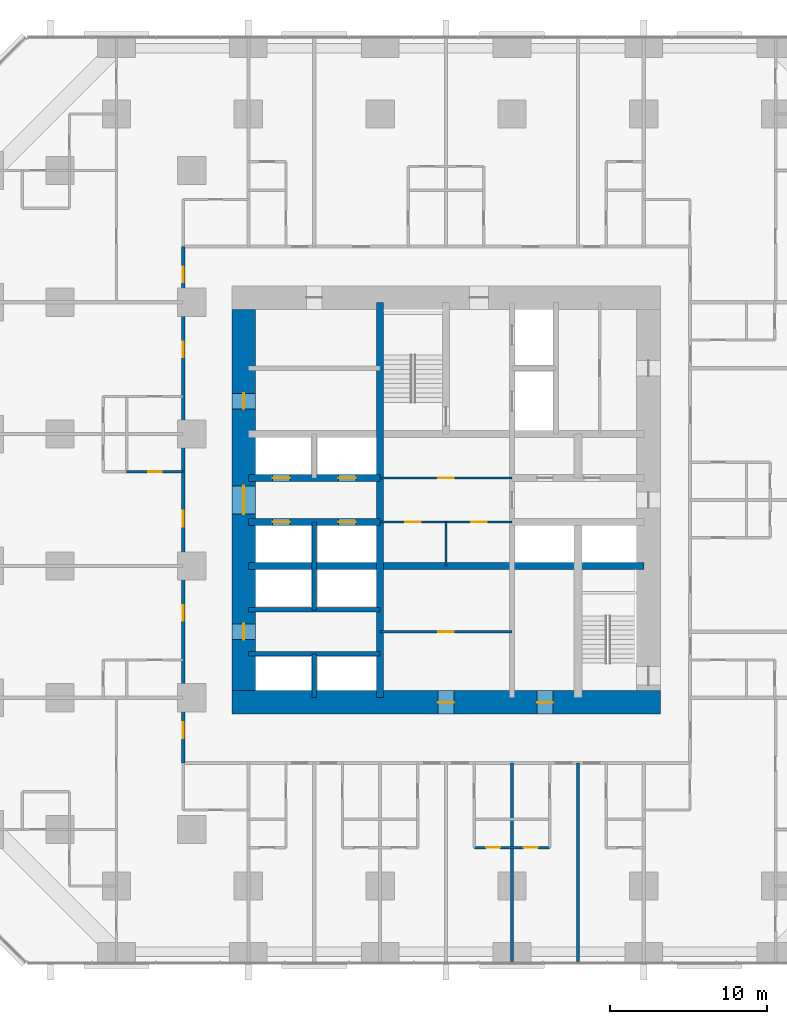
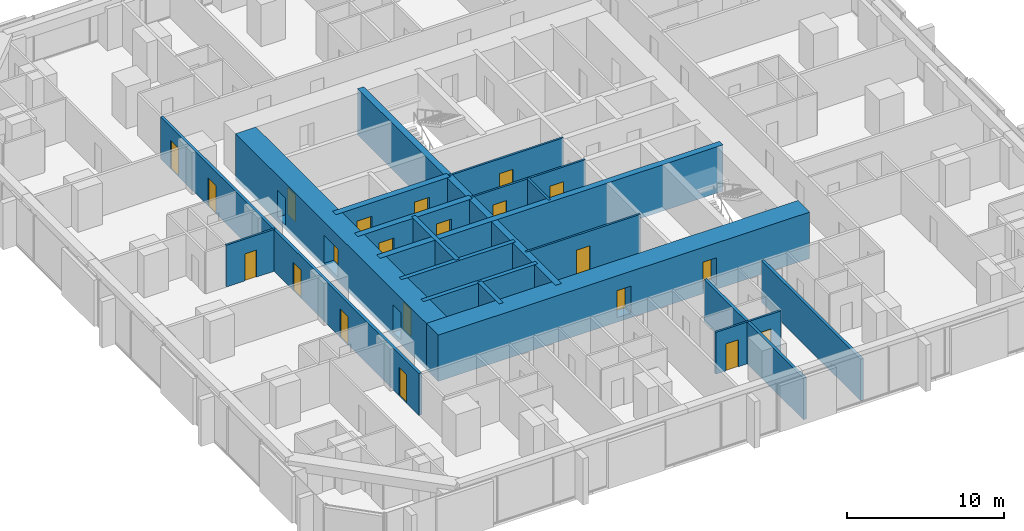
# One storey, part 12 of 17: 21 doors, 19 walls, 21 openings.
"""IFC4 building model written with IfcOpenShell, lengths in metres."""

from ifc_helpers import new_model, si_unit, direction, frame, frame_2d, origin, place, context, subcontext, project, spatial, rectangle, extrude, material, layer, layer_set, type_object, element, fill, save


model = new_model("IFC4")

# Units and contexts
model_context = context("Model", 3, precision=1e-05, world=origin(), true_north=direction((0.0, 1.0)))
body_context = subcontext(model_context, "Body", "Model", "MODEL_VIEW")
ifc_project = project(units=[si_unit("LENGTHUNIT", "METRE"), si_unit("AREAUNIT", "SQUARE_METRE"), si_unit("VOLUMEUNIT", "CUBIC_METRE"), si_unit("PLANEANGLEUNIT", "RADIAN"), si_unit("MASSUNIT", "GRAM", prefix="KILO")], contexts=[model_context])

# Site, building, storey
site_placement = place(None, origin())
site = spatial("IfcSite", under=ifc_project, at=site_placement, CompositionType="ELEMENT")
building_placement = place(site_placement, origin())
building = spatial("IfcBuilding", under=site, at=building_placement, Name="Dunama Terrace Hotel", CompositionType="ELEMENT")
storey_placement = place(building_placement, frame((0.0, 0.0, 73.800048828125)))
storey = spatial("IfcBuildingStorey", under=building, at=storey_placement, Name="L18", CompositionType="ELEMENT", Elevation=73.800048828125)

# Wall, opening, door
ifc_material_1 = material(Name="Gypsum board partition", Category="masonry")
ifc_layer_1 = layer(ifc_material_1, 0.14990234375)
ifc_layer_set_1 = layer_set([ifc_layer_1], Name="Bathroom partition 150")
wall_type_1 = type_object("IfcWallType", Name="Bathroom partition 150", PredefinedType="PARTITIONING", material=ifc_layer_set_1)
wall_1_placement = place(storey_placement, frame((9.050048828125, 31.199951171875, 0.0), z_axis=(0.0, 0.0, 1.0), x_axis=(1.0, 0.0, 0.0)))
wall_1 = element("IfcWall", 1, at=wall_1_placement, inside=storey, type_object=wall_type_1, Name="Bathroom partition 150 L18", PredefinedType="PARTITIONING", context=body_context, shape_type="SweptSolid", body=[
    extrude(rectangle(XDim=3.599853515625, YDim=0.14990234375, at=frame_2d((1.7998046875, 0.0))), origin(), (0.0, 0.0, 1.0), 3.25),
])
opening_1_placement = place(wall_1_placement, frame((1.375, 0.0, 0.0)))
opening_1 = element("IfcOpeningElement", 2, at=opening_1_placement, cuts=wall_1, Name="Opening L17-19-055", PredefinedType="OPENING", context=body_context, shape_type="SweptSolid", body=[
    extrude(rectangle(XDim=0.85009765625, YDim=2.10009765625, at=frame_2d((0.425048828125, 1.050048828125))), frame((0.0, 0.0849609375, 0.0), z_axis=(0.0, -1.0, 0.0), x_axis=(1.0, 0.0, 0.0)), (0.0, 0.0, 1.0), 0.169921875),
])
ifc_material_2 = material(Name="Timber door with steel frame", Category="steel")
door_type_1 = type_object("IfcDoorType", Name="Bathroom door 850", OperationType="SINGLE_SWING_LEFT", PredefinedType="DOOR", material=ifc_material_2)
door_1_placement = place(opening_1_placement, origin())
door_1 = element("IfcDoor", 3, at=door_1_placement, inside=storey, type_object=door_type_1, Name="Door to en-suite bathroom L17-19-055, type D2", OperationType="SINGLE_SWING_RIGHT", OverallHeight=2.10009765625, OverallWidth=0.85009765625, PredefinedType="DOOR", context=body_context, shape_type="SweptSolid", body=[
    extrude(rectangle(XDim=0.85009765625, YDim=2.10009765625, at=frame_2d((0.425048828125, 1.050048828125))), frame((0.0, 0.02490234375, 0.0), z_axis=(0.0, -1.0, 0.0), x_axis=(1.0, 0.0, 0.0)), (0.0, 0.0, 1.0), 0.050048828125),
])
fill(opening_1, door_1)

# Walls
ifc_material_3 = material(Name="Concrete C50/60", Category="concrete")
ifc_layer_2 = layer(ifc_material_3, 0.300048828125)
ifc_layer_set_2 = layer_set([ifc_layer_2], Name="Core inner wall 300")
wall_type_2 = type_object("IfcWallType", Name="Core inner wall 300", PredefinedType="SHEAR", material=ifc_layer_set_2)
wall_2_placement = place(storey_placement, frame((21.0, 16.800048828125, -0.35009765625), z_axis=(0.0, 0.0, 1.0), x_axis=(0.0, 1.0, 0.0)))
element("IfcWall", 4, at=wall_2_placement, inside=storey, type_object=wall_type_2, Name="Core inner wall 300 L18", PredefinedType="SHEAR", context=body_context, shape_type="SweptSolid", body=[
    extrude(rectangle(XDim=2.800048828125, YDim=0.300048828125, at=frame_2d((1.39990234375, 0.0))), origin(), (0.0, 0.0, 1.0), 3.60009765625),
])
wall_3_placement = place(storey_placement, frame((21.0, 22.39990234375, -0.35009765625), z_axis=(0.0, 0.0, 1.0), x_axis=(0.0, 1.0, 0.0)))
element("IfcWall", 5, at=wall_3_placement, inside=storey, type_object=wall_type_2, Name="Core inner wall 300 L18", PredefinedType="SHEAR", context=body_context, shape_type="SweptSolid", body=[
    extrude(rectangle(XDim=5.60009765625, YDim=0.300048828125, at=frame_2d((2.800048828125, 0.0))), origin(), (0.0, 0.0, 1.0), 3.60009765625),
])
for number, where, z_axis, x_axis, name in (
    (6, (16.800048828125, 19.60009765625, -0.35009765625), (0.0, 0.0, 1.0), (1.0, 0.0, 0.0), "Core inner wall 300 L18"),
    (7, (16.800048828125, 22.39990234375, -0.35009765625), (0.0, 0.0, 1.0), (1.0, 0.0, 0.0), "Core inner wall 300 L18"),
):
    element("IfcWall", number, at=place(storey_placement, frame(where, z_axis=z_axis, x_axis=x_axis)), inside=storey, type_object=wall_type_2, Name=name, PredefinedType="SHEAR", context=body_context, shape_type="SweptSolid", body=[
        extrude(rectangle(XDim=8.39990234375, YDim=0.300048828125, at=frame_2d((4.199951171875, 0.0))), origin(), (0.0, 0.0, 1.0), 3.60009765625),
    ])
ifc_material_4 = material(Name="Concrete C50/60", Category="concrete")
ifc_layer_3 = layer(ifc_material_4, 0.449951171875)
ifc_layer_set_3 = layer_set([ifc_layer_3], Name="Core inner wall 450")
wall_type_3 = type_object("IfcWallType", Name="Core inner wall 450", PredefinedType="SHEAR", material=ifc_layer_set_3)
for number, where, z_axis, x_axis, name in (
    (8, (25.199951171875, 16.800048828125, -0.35009765625), (0.0, 0.0, 1.0), (0.0, 1.0, 0.0), "Core inner wall 450 L18"),
    (9, (16.800048828125, 25.199951171875, -0.35009765625), (0.0, 0.0, 1.0), (1.0, 0.0, 0.0), "Core inner wall 450 L18"),
):
    element("IfcWall", number, at=place(storey_placement, frame(where, z_axis=z_axis, x_axis=x_axis)), inside=storey, type_object=wall_type_3, Name=name, PredefinedType="SHEAR", context=body_context, shape_type="SweptSolid", body=[
        extrude(rectangle(XDim=25.199951171875, YDim=0.449951171875, at=frame_2d((12.60009765625, 0.0))), origin(), (0.0, 0.0, 1.0), 3.60009765625),
    ])

# Wall, openings, doors
wall_4_placement = place(storey_placement, frame((16.800048828125, 28.0, -0.35009765625), z_axis=(0.0, 0.0, 1.0), x_axis=(1.0, 0.0, 0.0)))
wall_4 = element("IfcWall", 10, at=wall_4_placement, inside=storey, type_object=wall_type_3, Name="Core inner wall 450 L18", PredefinedType="SHEAR", context=body_context, shape_type="SweptSolid", body=[
    extrude(rectangle(XDim=8.39990234375, YDim=0.449951171875, at=frame_2d((4.199951171875, 0.0))), origin(), (0.0, 0.0, 1.0), 3.60009765625),
])
opening_2_placement = place(wall_4_placement, frame((1.550048828125, 0.0, 0.35009765625)))
opening_2 = element("IfcOpeningElement", 11, at=opening_2_placement, cuts=wall_4, Name="Opening L17-19-003", PredefinedType="OPENING", context=body_context, shape_type="SweptSolid", body=[
    extrude(rectangle(XDim=1.10009765625, YDim=2.199951171875, at=frame_2d((0.550048828125, 1.10009765625))), frame((0.0, 0.23486328125, 0.0), z_axis=(0.0, -1.0, 0.0), x_axis=(1.0, 0.0, 0.0)), (0.0, 0.0, 1.0), 0.469970703125),
])
opening_3_placement = place(wall_4_placement, frame((5.75, 0.0, 0.35009765625)))
opening_3 = element("IfcOpeningElement", 12, at=opening_3_placement, cuts=wall_4, Name="Opening L17-19-004", PredefinedType="OPENING", context=body_context, shape_type="SweptSolid", body=[
    extrude(rectangle(XDim=1.10009765625, YDim=2.199951171875, at=frame_2d((0.550048828125, 1.10009765625))), frame((0.0, 0.23486328125, 0.0), z_axis=(0.0, -1.0, 0.0), x_axis=(1.0, 0.0, 0.0)), (0.0, 0.0, 1.0), 0.469970703125),
])
ifc_material_5 = material(Name="Stainless steel lift door", Category="steel")
door_type_2 = type_object("IfcDoorType", Name="Lift landing door 1100", OperationType="DOUBLE_DOOR_SLIDING", PredefinedType="DOOR", material=ifc_material_5)
door_2_placement = place(opening_2_placement, origin())
door_2 = element("IfcDoor", 13, at=door_2_placement, inside=storey, type_object=door_type_2, Name="Landing door PA1 L17-19-003, type LD1", OperationType="DOUBLE_DOOR_SLIDING", OverallHeight=2.199951171875, OverallWidth=1.10009765625, PredefinedType="DOOR", context=body_context, shape_type="SweptSolid", body=[
    extrude(rectangle(XDim=1.10009765625, YDim=2.199951171875, at=frame_2d((0.550048828125, 1.10009765625))), frame((0.0, 0.02490234375, 0.0), z_axis=(0.0, -1.0, 0.0), x_axis=(1.0, 0.0, 0.0)), (0.0, 0.0, 1.0), 0.050048828125),
])
fill(opening_2, door_2)
door_3_placement = place(opening_3_placement, origin())
door_3 = element("IfcDoor", 14, at=door_3_placement, inside=storey, type_object=door_type_2, Name="Landing door PA2 L17-19-004, type LD1", OperationType="DOUBLE_DOOR_SLIDING", OverallHeight=2.199951171875, OverallWidth=1.10009765625, PredefinedType="DOOR", context=body_context, shape_type="SweptSolid", body=[
    extrude(rectangle(XDim=1.10009765625, YDim=2.199951171875, at=frame_2d((0.550048828125, 1.10009765625))), frame((0.0, 0.02490234375, 0.0), z_axis=(0.0, -1.0, 0.0), x_axis=(1.0, 0.0, 0.0)), (0.0, 0.0, 1.0), 0.050048828125),
])
fill(opening_3, door_3)

wall_5_placement = place(storey_placement, frame((16.800048828125, 30.800048828125, -0.35009765625), z_axis=(0.0, 0.0, 1.0), x_axis=(1.0, 0.0, 0.0)))
wall_5 = element("IfcWall", 15, at=wall_5_placement, inside=storey, type_object=wall_type_3, Name="Core inner wall 450 L18", PredefinedType="SHEAR", context=body_context, shape_type="SweptSolid", body=[
    extrude(rectangle(XDim=8.39990234375, YDim=0.449951171875, at=frame_2d((4.199951171875, 0.0))), origin(), (0.0, 0.0, 1.0), 3.60009765625),
])
opening_4_placement = place(wall_5_placement, frame((1.550048828125, 0.0, 0.35009765625)))
opening_4 = element("IfcOpeningElement", 16, at=opening_4_placement, cuts=wall_5, Name="Opening L17-19-005", PredefinedType="OPENING", context=body_context, shape_type="SweptSolid", body=[
    extrude(rectangle(XDim=1.10009765625, YDim=2.199951171875, at=frame_2d((0.550048828125, 1.10009765625))), frame((0.0, 0.23486328125, 0.0), z_axis=(0.0, -1.0, 0.0), x_axis=(1.0, 0.0, 0.0)), (0.0, 0.0, 1.0), 0.469970703125),
])
opening_5_placement = place(wall_5_placement, frame((5.75, 0.0, 0.35009765625)))
opening_5 = element("IfcOpeningElement", 17, at=opening_5_placement, cuts=wall_5, Name="Opening L17-19-006", PredefinedType="OPENING", context=body_context, shape_type="SweptSolid", body=[
    extrude(rectangle(XDim=1.10009765625, YDim=2.199951171875, at=frame_2d((0.550048828125, 1.10009765625))), frame((0.0, 0.23486328125, 0.0), z_axis=(0.0, -1.0, 0.0), x_axis=(1.0, 0.0, 0.0)), (0.0, 0.0, 1.0), 0.469970703125),
])
door_4_placement = place(opening_4_placement, origin())
door_4 = element("IfcDoor", 18, at=door_4_placement, inside=storey, type_object=door_type_2, Name="Landing door PA3 L17-19-005, type LD1", OperationType="DOUBLE_DOOR_SLIDING", OverallHeight=2.199951171875, OverallWidth=1.10009765625, PredefinedType="DOOR", context=body_context, shape_type="SweptSolid", body=[
    extrude(rectangle(XDim=1.10009765625, YDim=2.199951171875, at=frame_2d((0.550048828125, 1.10009765625))), frame((0.0, 0.02490234375, 0.0), z_axis=(0.0, -1.0, 0.0), x_axis=(1.0, 0.0, 0.0)), (0.0, 0.0, 1.0), 0.050048828125),
])
fill(opening_4, door_4)
door_5_placement = place(opening_5_placement, origin())
door_5 = element("IfcDoor", 19, at=door_5_placement, inside=storey, type_object=door_type_2, Name="Landing door PA4 L17-19-006, type LD1", OperationType="DOUBLE_DOOR_SLIDING", OverallHeight=2.199951171875, OverallWidth=1.10009765625, PredefinedType="DOOR", context=body_context, shape_type="SweptSolid", body=[
    extrude(rectangle(XDim=1.10009765625, YDim=2.199951171875, at=frame_2d((0.550048828125, 1.10009765625))), frame((0.0, 0.02490234375, 0.0), z_axis=(0.0, -1.0, 0.0), x_axis=(1.0, 0.0, 0.0)), (0.0, 0.0, 1.0), 0.050048828125),
])
fill(opening_5, door_5)

ifc_material_6 = material(Name="Concrete C60/75", Category="concrete")
ifc_layer_4 = layer(ifc_material_6, 1.5)
ifc_layer_set_4 = layer_set([ifc_layer_4], Name="Core wall 1500")
wall_type_4 = type_object("IfcWallType", Name="Core wall 1500", PredefinedType="SHEAR", material=ifc_layer_set_4)
wall_6_placement = place(storey_placement, frame((15.75, 16.5, -0.35009765625), z_axis=(0.0, 0.0, 1.0), x_axis=(1.0, 0.0, 0.0)))
wall_6 = element("IfcWall", 20, at=wall_6_placement, inside=storey, type_object=wall_type_4, Name="Core wall south L18", PredefinedType="SHEAR", context=body_context, shape_type="SweptSolid", body=[
    extrude(rectangle(XDim=27.300048828125, YDim=1.5, at=frame_2d((13.64990234375, 0.0))), origin(), (0.0, 0.0, 1.0), 3.60009765625),
])
opening_6_placement = place(wall_6_placement, frame((13.14990234375, 0.0, 0.35009765625)))
opening_6 = element("IfcOpeningElement", 21, at=opening_6_placement, cuts=wall_6, Name="Opening L17-19-098", PredefinedType="OPENING", context=body_context, shape_type="SweptSolid", body=[
    extrude(rectangle(XDim=1.0, YDim=2.10009765625, at=frame_2d((0.5, 1.050048828125))), frame((0.0, 0.760009765625, 0.0), z_axis=(0.0, -1.0, 0.0), x_axis=(1.0, 0.0, 0.0)), (0.0, 0.0, 1.0), 1.52001953125),
])
opening_7_placement = place(wall_6_placement, frame((19.449951171875, 0.0, 0.35009765625)))
opening_7 = element("IfcOpeningElement", 22, at=opening_7_placement, cuts=wall_6, Name="Opening L17-19-100", PredefinedType="OPENING", context=body_context, shape_type="SweptSolid", body=[
    extrude(rectangle(XDim=1.0, YDim=2.10009765625, at=frame_2d((0.5, 1.050048828125))), frame((0.0, 0.760009765625, 0.0), z_axis=(0.0, -1.0, 0.0), x_axis=(1.0, 0.0, 0.0)), (0.0, 0.0, 1.0), 1.52001953125),
])
ifc_material_7 = material(Name="Timber door with steel frame", Category="steel")
door_type_3 = type_object("IfcDoorType", Name="Service door 1000", OperationType="SINGLE_SWING_LEFT", PredefinedType="DOOR", material=ifc_material_7)
door_6_placement = place(opening_6_placement, origin())
door_6 = element("IfcDoor", 23, at=door_6_placement, inside=storey, type_object=door_type_3, Name="Door to corridor air handling room L17-19-098, type D7", OperationType="SINGLE_SWING_LEFT", OverallHeight=2.10009765625, OverallWidth=1.0, PredefinedType="DOOR", context=body_context, shape_type="SweptSolid", body=[
    extrude(rectangle(XDim=1.0, YDim=2.10009765625, at=frame_2d((0.5, 1.050048828125))), frame((0.0, 0.02490234375, 0.0), z_axis=(0.0, -1.0, 0.0), x_axis=(1.0, 0.0, 0.0)), (0.0, 0.0, 1.0), 0.050048828125),
])
fill(opening_6, door_6)
door_7_placement = place(opening_7_placement, origin())
door_7 = element("IfcDoor", 24, at=door_7_placement, inside=storey, type_object=door_type_3, Name="Door to water riser room L17-19-100, type D7", OperationType="SINGLE_SWING_RIGHT", OverallHeight=2.10009765625, OverallWidth=1.0, PredefinedType="DOOR", context=body_context, shape_type="SweptSolid", body=[
    extrude(rectangle(XDim=1.0, YDim=2.10009765625, at=frame_2d((0.5, 1.050048828125))), frame((0.0, 0.02490234375, 0.0), z_axis=(0.0, -1.0, 0.0), x_axis=(1.0, 0.0, 0.0)), (0.0, 0.0, 1.0), 0.050048828125),
])
fill(opening_7, door_7)

wall_7_placement = place(storey_placement, frame((16.5, 41.550048828125, -0.35009765625), z_axis=(0.0, 0.0, 1.0), x_axis=(0.0, -1.0, 0.0)))
wall_7 = element("IfcWall", 25, at=wall_7_placement, inside=storey, type_object=wall_type_4, Name="Core wall west L18", PredefinedType="SHEAR", context=body_context, shape_type="SweptSolid", body=[
    extrude(rectangle(XDim=24.300048828125, YDim=1.5, at=frame_2d((12.14990234375, 0.0))), origin(), (0.0, 0.0, 1.0), 3.60009765625),
])
opening_8_placement = place(wall_7_placement, frame((11.25, 0.0, 0.35009765625)))
opening_8 = element("IfcOpeningElement", 26, at=opening_8_placement, cuts=wall_7, Name="Opening L17-19-084", PredefinedType="OPENING", context=body_context, shape_type="SweptSolid", body=[
    extrude(rectangle(XDim=1.800048828125, YDim=2.199951171875, at=frame_2d((0.89990234375, 1.10009765625))), frame((0.0, 0.760009765625, 0.0), z_axis=(0.0, -1.0, 0.0), x_axis=(1.0, 0.0, 0.0)), (0.0, 0.0, 1.0), 1.52001953125),
])
opening_9_placement = place(wall_7_placement, frame((20.050048828125, 0.0, 0.35009765625)))
opening_9 = element("IfcOpeningElement", 27, at=opening_9_placement, cuts=wall_7, Name="Opening L17-19-085", PredefinedType="OPENING", context=body_context, shape_type="SweptSolid", body=[
    extrude(rectangle(XDim=1.0, YDim=2.10009765625, at=frame_2d((0.5, 1.050048828125))), frame((0.0, 0.760009765625, 0.0), z_axis=(0.0, -1.0, 0.0), x_axis=(1.0, 0.0, 0.0)), (0.0, 0.0, 1.0), 1.52001953125),
])
opening_10_placement = place(wall_7_placement, frame((5.35009765625, 0.0, 0.35009765625)))
opening_10 = element("IfcOpeningElement", 28, at=opening_10_placement, cuts=wall_7, Name="Opening L17-19-086", PredefinedType="OPENING", context=body_context, shape_type="SweptSolid", body=[
    extrude(rectangle(XDim=1.0, YDim=2.10009765625, at=frame_2d((0.5, 1.050048828125))), frame((0.0, 0.760009765625, 0.0), z_axis=(0.0, -1.0, 0.0), x_axis=(1.0, 0.0, 0.0)), (0.0, 0.0, 1.0), 1.52001953125),
])
ifc_material_8 = material(Name="Timber door with steel frame", Category="steel")
door_type_4 = type_object("IfcDoorType", Name="Lift lobby double door 1800", OperationType="DOUBLE_DOOR_DOUBLE_SWING", PredefinedType="DOOR", material=ifc_material_8)
door_8_placement = place(opening_8_placement, origin())
door_8 = element("IfcDoor", 29, at=door_8_placement, inside=storey, type_object=door_type_4, Name="Door to lift lobby L17-19-084, type D3", OperationType="DOUBLE_DOOR_DOUBLE_SWING", OverallHeight=2.199951171875, OverallWidth=1.800048828125, PredefinedType="DOOR", context=body_context, shape_type="SweptSolid", body=[
    extrude(rectangle(XDim=1.800048828125, YDim=2.199951171875, at=frame_2d((0.89990234375, 1.10009765625))), frame((0.0, 0.02490234375, 0.0), z_axis=(0.0, -1.0, 0.0), x_axis=(1.0, 0.0, 0.0)), (0.0, 0.0, 1.0), 0.050048828125),
])
fill(opening_8, door_8)
door_9_placement = place(opening_9_placement, origin())
door_9 = element("IfcDoor", 30, at=door_9_placement, inside=storey, type_object=door_type_3, Name="Door to service lobby L17-19-085, type D7", OperationType="SINGLE_SWING_RIGHT", OverallHeight=2.10009765625, OverallWidth=1.0, PredefinedType="DOOR", context=body_context, shape_type="SweptSolid", body=[
    extrude(rectangle(XDim=1.0, YDim=2.10009765625, at=frame_2d((0.5, 1.050048828125))), frame((0.0, 0.02490234375, 0.0), z_axis=(0.0, -1.0, 0.0), x_axis=(1.0, 0.0, 0.0)), (0.0, 0.0, 1.0), 0.050048828125),
])
fill(opening_9, door_9)
door_10_placement = place(opening_10_placement, origin())
door_10 = element("IfcDoor", 31, at=door_10_placement, inside=storey, type_object=door_type_3, Name="Door to electrical room L17-19-086, type D7", OperationType="SINGLE_SWING_RIGHT", OverallHeight=2.10009765625, OverallWidth=1.0, PredefinedType="DOOR", context=body_context, shape_type="SweptSolid", body=[
    extrude(rectangle(XDim=1.0, YDim=2.10009765625, at=frame_2d((0.5, 1.050048828125))), frame((0.0, 0.02490234375, 0.0), z_axis=(0.0, -1.0, 0.0), x_axis=(1.0, 0.0, 0.0)), (0.0, 0.0, 1.0), 0.050048828125),
])
fill(opening_10, door_10)

ifc_material_9 = material(Name="Concrete blockwork", Category="masonry")
ifc_layer_5 = layer(ifc_material_9, 0.199951171875)
ifc_layer_set_5 = layer_set([ifc_layer_5], Name="Corridor partition 200")
wall_type_5 = type_object("IfcWallType", Name="Corridor partition 200", PredefinedType="PARTITIONING", material=ifc_layer_set_5)
wall_8_placement = place(storey_placement, frame((12.64990234375, 12.64990234375, 0.0), z_axis=(0.0, 0.0, 1.0), x_axis=(0.0, 1.0, 0.0)))
wall_8 = element("IfcWall", 32, at=wall_8_placement, inside=storey, type_object=wall_type_5, Name="Corridor partition 200 L18", PredefinedType="PARTITIONING", context=body_context, shape_type="SweptSolid", body=[
    extrude(rectangle(XDim=32.900146484375, YDim=0.199951171875, at=frame_2d((16.4501953125, 0.0))), origin(), (0.0, 0.0, 1.0), 3.25),
])
opening_11_placement = place(wall_8_placement, frame((9.050048828125, 0.0, 0.0)))
opening_11 = element("IfcOpeningElement", 33, at=opening_11_placement, cuts=wall_8, Name="Opening L17-19-051", PredefinedType="OPENING", context=body_context, shape_type="SweptSolid", body=[
    extrude(rectangle(XDim=1.0, YDim=2.199951171875, at=frame_2d((0.5, 1.10009765625))), frame((0.0, 0.10986328125, 0.0), z_axis=(0.0, -1.0, 0.0), x_axis=(1.0, 0.0, 0.0)), (0.0, 0.0, 1.0), 0.219970703125),
])
opening_12_placement = place(wall_8_placement, frame((15.050048828125, 0.0, 0.0)))
opening_12 = element("IfcOpeningElement", 34, at=opening_12_placement, cuts=wall_8, Name="Opening L17-19-054", PredefinedType="OPENING", context=body_context, shape_type="SweptSolid", body=[
    extrude(rectangle(XDim=1.0, YDim=2.199951171875, at=frame_2d((0.5, 1.10009765625))), frame((0.0, 0.10986328125, 0.0), z_axis=(0.0, -1.0, 0.0), x_axis=(1.0, 0.0, 0.0)), (0.0, 0.0, 1.0), 0.219970703125),
])
opening_13_placement = place(wall_8_placement, frame((25.85009765625, 0.0, 0.0)))
opening_13 = element("IfcOpeningElement", 35, at=opening_13_placement, cuts=wall_8, Name="Opening L17-19-057", PredefinedType="OPENING", context=body_context, shape_type="SweptSolid", body=[
    extrude(rectangle(XDim=1.0, YDim=2.199951171875, at=frame_2d((0.5, 1.10009765625))), frame((0.0, 0.10986328125, 0.0), z_axis=(0.0, -1.0, 0.0), x_axis=(1.0, 0.0, 0.0)), (0.0, 0.0, 1.0), 0.219970703125),
])
opening_14_placement = place(wall_8_placement, frame((1.574951171875, 0.0, 0.0)))
opening_14 = element("IfcOpeningElement", 36, at=opening_14_placement, cuts=wall_8, Name="Opening L17-19-060", PredefinedType="OPENING", context=body_context, shape_type="SweptSolid", body=[
    extrude(rectangle(XDim=1.0, YDim=2.199951171875, at=frame_2d((0.5, 1.10009765625))), frame((0.0, 0.10986328125, 0.0), z_axis=(0.0, -1.0, 0.0), x_axis=(1.0, 0.0, 0.0)), (0.0, 0.0, 1.0), 0.219970703125),
])
opening_15_placement = place(wall_8_placement, frame((30.625, 0.0, 0.0)))
opening_15 = element("IfcOpeningElement", 37, at=opening_15_placement, cuts=wall_8, Name="Opening L17-19-078", PredefinedType="OPENING", context=body_context, shape_type="SweptSolid", body=[
    extrude(rectangle(XDim=1.0, YDim=2.199951171875, at=frame_2d((0.5, 1.10009765625))), frame((0.0, 0.10986328125, 0.0), z_axis=(0.0, -1.0, 0.0), x_axis=(1.0, 0.0, 0.0)), (0.0, 0.0, 1.0), 0.219970703125),
])
ifc_material_10 = material(Name="Timber door with steel frame", Category="steel")
door_type_5 = type_object("IfcDoorType", Name="Guest room door 1000", OperationType="SINGLE_SWING_LEFT", PredefinedType="DOOR", material=ifc_material_10)
door_11_placement = place(opening_11_placement, origin())
door_11 = element("IfcDoor", 38, at=door_11_placement, inside=storey, type_object=door_type_5, Name="Door to junior suite L17-19-051, type D1", OperationType="SINGLE_SWING_RIGHT", OverallHeight=2.199951171875, OverallWidth=1.0, PredefinedType="DOOR", context=body_context, shape_type="SweptSolid", body=[
    extrude(rectangle(XDim=1.0, YDim=2.199951171875, at=frame_2d((0.5, 1.10009765625))), frame((0.0, 0.02490234375, 0.0), z_axis=(0.0, -1.0, 0.0), x_axis=(1.0, 0.0, 0.0)), (0.0, 0.0, 1.0), 0.050048828125),
])
fill(opening_11, door_11)
door_12_placement = place(opening_12_placement, origin())
door_12 = element("IfcDoor", 39, at=door_12_placement, inside=storey, type_object=door_type_5, Name="Door to junior suite L17-19-054, type D1", OperationType="SINGLE_SWING_LEFT", OverallHeight=2.199951171875, OverallWidth=1.0, PredefinedType="DOOR", context=body_context, shape_type="SweptSolid", body=[
    extrude(rectangle(XDim=1.0, YDim=2.199951171875, at=frame_2d((0.5, 1.10009765625))), frame((0.0, 0.02490234375, 0.0), z_axis=(0.0, -1.0, 0.0), x_axis=(1.0, 0.0, 0.0)), (0.0, 0.0, 1.0), 0.050048828125),
])
fill(opening_12, door_12)
door_13_placement = place(opening_13_placement, origin())
door_13 = element("IfcDoor", 40, at=door_13_placement, inside=storey, type_object=door_type_5, Name="Door to junior suite L17-19-057, type D1", OperationType="SINGLE_SWING_RIGHT", OverallHeight=2.199951171875, OverallWidth=1.0, PredefinedType="DOOR", context=body_context, shape_type="SweptSolid", body=[
    extrude(rectangle(XDim=1.0, YDim=2.199951171875, at=frame_2d((0.5, 1.10009765625))), frame((0.0, 0.02490234375, 0.0), z_axis=(0.0, -1.0, 0.0), x_axis=(1.0, 0.0, 0.0)), (0.0, 0.0, 1.0), 0.050048828125),
])
fill(opening_13, door_13)
door_14_placement = place(opening_14_placement, origin())
door_14 = element("IfcDoor", 41, at=door_14_placement, inside=storey, type_object=door_type_5, Name="Door to corner suite living room L17-19-060, type D1", OperationType="SINGLE_SWING_RIGHT", OverallHeight=2.199951171875, OverallWidth=1.0, PredefinedType="DOOR", context=body_context, shape_type="SweptSolid", body=[
    extrude(rectangle(XDim=1.0, YDim=2.199951171875, at=frame_2d((0.5, 1.10009765625))), frame((0.0, 0.02490234375, 0.0), z_axis=(0.0, -1.0, 0.0), x_axis=(1.0, 0.0, 0.0)), (0.0, 0.0, 1.0), 0.050048828125),
])
fill(opening_14, door_14)
door_15_placement = place(opening_15_placement, origin())
door_15 = element("IfcDoor", 42, at=door_15_placement, inside=storey, type_object=door_type_5, Name="Door to corner suite living room L17-19-078, type D1", OperationType="SINGLE_SWING_LEFT", OverallHeight=2.199951171875, OverallWidth=1.0, PredefinedType="DOOR", context=body_context, shape_type="SweptSolid", body=[
    extrude(rectangle(XDim=1.0, YDim=2.199951171875, at=frame_2d((0.5, 1.10009765625))), frame((0.0, 0.02490234375, 0.0), z_axis=(0.0, -1.0, 0.0), x_axis=(1.0, 0.0, 0.0)), (0.0, 0.0, 1.0), 0.050048828125),
])
fill(opening_15, door_15)

# Walls
ifc_material_11 = material(Name="Concrete blockwork", Category="masonry")
ifc_layer_6 = layer(ifc_material_11, 0.199951171875)
ifc_layer_set_6 = layer_set([ifc_layer_6], Name="Party wall 200")
wall_type_6 = type_object("IfcWallType", Name="Party wall 200", PredefinedType="PARTITIONING", material=ifc_layer_set_6)
for number, where, z_axis, x_axis, name in (
    (43, (33.60009765625, -0.008056640625, 0.0), (0.0, 0.0, 1.0), (0.0, 1.0, 0.0), "Party wall 200 L18"),
    (44, (37.800048828125, -0.008056640625, 0.0), (0.0, 0.0, 1.0), (0.0, 1.0, 0.0), "Party wall 200 L18"),
):
    element("IfcWall", number, at=place(storey_placement, frame(where, z_axis=z_axis, x_axis=x_axis)), inside=storey, type_object=wall_type_6, Name=name, PredefinedType="PARTITIONING", context=body_context, shape_type="SweptSolid", body=[
        extrude(rectangle(XDim=12.657958984375, YDim=0.199951171875, at=frame_2d((6.3291015625, 0.0))), origin(), (0.0, 0.0, 1.0), 3.25),
    ])
ifc_material_12 = material(Name="Gypsum board partition", Category="masonry")
ifc_layer_7 = layer(ifc_material_12, 0.14990234375)
ifc_layer_set_7 = layer_set([ifc_layer_7], Name="Room partition 150")
wall_type_7 = type_object("IfcWallType", Name="Room partition 150", PredefinedType="PARTITIONING", material=ifc_layer_set_7)
wall_9_placement = place(storey_placement, frame((29.39990234375, 25.199951171875, 0.0), z_axis=(0.0, 0.0, 1.0), x_axis=(0.0, 1.0, 0.0)))
element("IfcWall", 45, at=wall_9_placement, inside=storey, type_object=wall_type_7, Name="Room partition 150 L18", PredefinedType="PARTITIONING", context=body_context, shape_type="SweptSolid", body=[
    extrude(rectangle(XDim=2.800048828125, YDim=0.14990234375, at=frame_2d((1.39990234375, 0.0))), origin(), (0.0, 0.0, 1.0), 3.25),
])

# Wall, openings, doors
wall_10_placement = place(storey_placement, frame((31.199951171875, 7.25, 0.0), z_axis=(0.0, 0.0, 1.0), x_axis=(1.0, 0.0, 0.0)))
wall_10 = element("IfcWall", 46, at=wall_10_placement, inside=storey, type_object=wall_type_7, Name="Room partition 150 L18", PredefinedType="PARTITIONING", context=body_context, shape_type="SweptSolid", body=[
    extrude(rectangle(XDim=4.800048828125, YDim=0.14990234375, at=frame_2d((2.39990234375, 0.0))), origin(), (0.0, 0.0, 1.0), 3.25),
])
opening_16_placement = place(wall_10_placement, frame((0.75, 0.0, 0.0)))
opening_16 = element("IfcOpeningElement", 47, at=opening_16_placement, cuts=wall_10, Name="Opening L17-19-020", PredefinedType="OPENING", context=body_context, shape_type="SweptSolid", body=[
    extrude(rectangle(XDim=0.89990234375, YDim=2.10009765625, at=frame_2d((0.449951171875, 1.050048828125))), frame((0.0, 0.0849609375, 0.0), z_axis=(0.0, -1.0, 0.0), x_axis=(1.0, 0.0, 0.0)), (0.0, 0.0, 1.0), 0.169921875),
])
opening_17_placement = place(wall_10_placement, frame((3.14990234375, 0.0, 0.0)))
opening_17 = element("IfcOpeningElement", 48, at=opening_17_placement, cuts=wall_10, Name="Opening L17-19-023", PredefinedType="OPENING", context=body_context, shape_type="SweptSolid", body=[
    extrude(rectangle(XDim=0.89990234375, YDim=2.10009765625, at=frame_2d((0.449951171875, 1.050048828125))), frame((0.0, 0.0849609375, 0.0), z_axis=(0.0, -1.0, 0.0), x_axis=(1.0, 0.0, 0.0)), (0.0, 0.0, 1.0), 0.169921875),
])
ifc_material_13 = material(Name="Timber door with steel frame", Category="steel")
door_type_6 = type_object("IfcDoorType", Name="Suite internal door 900", OperationType="SINGLE_SWING_LEFT", PredefinedType="DOOR", material=ifc_material_13)
door_16_placement = place(opening_16_placement, origin())
door_16 = element("IfcDoor", 49, at=door_16_placement, inside=storey, type_object=door_type_6, Name="Door to walk-in wardrobe L17-19-020, type D16", OperationType="SINGLE_SWING_RIGHT", OverallHeight=2.10009765625, OverallWidth=0.89990234375, PredefinedType="DOOR", context=body_context, shape_type="SweptSolid", body=[
    extrude(rectangle(XDim=0.89990234375, YDim=2.10009765625, at=frame_2d((0.449951171875, 1.050048828125))), frame((0.0, 0.02490234375, 0.0), z_axis=(0.0, -1.0, 0.0), x_axis=(1.0, 0.0, 0.0)), (0.0, 0.0, 1.0), 0.050048828125),
])
fill(opening_16, door_16)
door_17_placement = place(opening_17_placement, origin())
door_17 = element("IfcDoor", 50, at=door_17_placement, inside=storey, type_object=door_type_6, Name="Door to walk-in wardrobe L17-19-023, type D16", OperationType="SINGLE_SWING_LEFT", OverallHeight=2.10009765625, OverallWidth=0.89990234375, PredefinedType="DOOR", context=body_context, shape_type="SweptSolid", body=[
    extrude(rectangle(XDim=0.89990234375, YDim=2.10009765625, at=frame_2d((0.449951171875, 1.050048828125))), frame((0.0, 0.02490234375, 0.0), z_axis=(0.0, -1.0, 0.0), x_axis=(1.0, 0.0, 0.0)), (0.0, 0.0, 1.0), 0.050048828125),
])
fill(opening_17, door_17)

# Wall, opening, door
wall_11_placement = place(storey_placement, frame((25.199951171875, 21.0, 0.0), z_axis=(0.0, 0.0, 1.0), x_axis=(1.0, 0.0, 0.0)))
wall_11 = element("IfcWall", 51, at=wall_11_placement, inside=storey, type_object=wall_type_7, Name="Room partition 150 L18", PredefinedType="PARTITIONING", context=body_context, shape_type="SweptSolid", body=[
    extrude(rectangle(XDim=8.400146484375, YDim=0.14990234375, at=frame_2d((4.2001953125, 0.0))), origin(), (0.0, 0.0, 1.0), 3.25),
])
opening_18_placement = place(wall_11_placement, frame((3.699951171875, 0.0, 0.0)))
opening_18 = element("IfcOpeningElement", 52, at=opening_18_placement, cuts=wall_11, Name="Opening L17-19-099", PredefinedType="OPENING", context=body_context, shape_type="SweptSolid", body=[
    extrude(rectangle(XDim=1.0, YDim=2.10009765625, at=frame_2d((0.5, 1.050048828125))), frame((0.0, 0.0849609375, 0.0), z_axis=(0.0, -1.0, 0.0), x_axis=(1.0, 0.0, 0.0)), (0.0, 0.0, 1.0), 0.169921875),
])
door_18_placement = place(opening_18_placement, origin())
door_18 = element("IfcDoor", 53, at=door_18_placement, inside=storey, type_object=door_type_3, Name="Door to stair pressurisation fan room L17-19-099, type D7", OperationType="SINGLE_SWING_LEFT", OverallHeight=2.10009765625, OverallWidth=1.0, PredefinedType="DOOR", context=body_context, shape_type="SweptSolid", body=[
    extrude(rectangle(XDim=1.0, YDim=2.10009765625, at=frame_2d((0.5, 1.050048828125))), frame((0.0, 0.02490234375, 0.0), z_axis=(0.0, -1.0, 0.0), x_axis=(1.0, 0.0, 0.0)), (0.0, 0.0, 1.0), 0.050048828125),
])
fill(opening_18, door_18)

# Wall, openings, doors
wall_12_placement = place(storey_placement, frame((25.199951171875, 28.0, 0.0), z_axis=(0.0, 0.0, 1.0), x_axis=(1.0, 0.0, 0.0)))
wall_12 = element("IfcWall", 54, at=wall_12_placement, inside=storey, type_object=wall_type_7, Name="Room partition 150 L18", PredefinedType="PARTITIONING", context=body_context, shape_type="SweptSolid", body=[
    extrude(rectangle(XDim=8.400146484375, YDim=0.14990234375, at=frame_2d((4.2001953125, 0.0))), origin(), (0.0, 0.0, 1.0), 3.25),
])
opening_19_placement = place(wall_12_placement, frame((5.800048828125, 0.0, 0.0)))
opening_19 = element("IfcOpeningElement", 55, at=opening_19_placement, cuts=wall_12, Name="Opening L17-19-089", PredefinedType="OPENING", context=body_context, shape_type="SweptSolid", body=[
    extrude(rectangle(XDim=1.0, YDim=2.10009765625, at=frame_2d((0.5, 1.050048828125))), frame((0.0, 0.0849609375, 0.0), z_axis=(0.0, -1.0, 0.0), x_axis=(1.0, 0.0, 0.0)), (0.0, 0.0, 1.0), 0.169921875),
])
opening_20_placement = place(wall_12_placement, frame((1.60009765625, 0.0, 0.0)))
opening_20 = element("IfcOpeningElement", 56, at=opening_20_placement, cuts=wall_12, Name="Opening L17-19-090", PredefinedType="OPENING", context=body_context, shape_type="SweptSolid", body=[
    extrude(rectangle(XDim=1.0, YDim=2.10009765625, at=frame_2d((0.5, 1.050048828125))), frame((0.0, 0.0849609375, 0.0), z_axis=(0.0, -1.0, 0.0), x_axis=(1.0, 0.0, 0.0)), (0.0, 0.0, 1.0), 0.169921875),
])
door_19_placement = place(opening_19_placement, frame((1.0, 0.0, 0.0), z_axis=(0.0, 0.0, 1.0), x_axis=(-1.0, 0.0, 0.0)))
door_19 = element("IfcDoor", 57, at=door_19_placement, inside=storey, type_object=door_type_3, Name="Door to it equipment room L17-19-089, type D7", OperationType="SINGLE_SWING_LEFT", OverallHeight=2.10009765625, OverallWidth=1.0, PredefinedType="DOOR", context=body_context, shape_type="SweptSolid", body=[
    extrude(rectangle(XDim=1.0, YDim=2.10009765625, at=frame_2d((0.5, 1.050048828125))), frame((0.0, 0.025146484375, 0.0), z_axis=(0.0, -1.0, 0.0), x_axis=(1.0, 0.0, 0.0)), (0.0, 0.0, 1.0), 0.050048828125),
])
fill(opening_19, door_19)
door_20_placement = place(opening_20_placement, frame((1.0, 0.0, 0.0), z_axis=(0.0, 0.0, 1.0), x_axis=(-1.0, 0.0, 0.0)))
door_20 = element("IfcDoor", 58, at=door_20_placement, inside=storey, type_object=door_type_3, Name="Door to staff accessible wc L17-19-090, type D7", OperationType="SINGLE_SWING_RIGHT", OverallHeight=2.10009765625, OverallWidth=1.0, PredefinedType="DOOR", context=body_context, shape_type="SweptSolid", body=[
    extrude(rectangle(XDim=1.0, YDim=2.10009765625, at=frame_2d((0.5, 1.050048828125))), frame((0.0, 0.025146484375, 0.0), z_axis=(0.0, -1.0, 0.0), x_axis=(1.0, 0.0, 0.0)), (0.0, 0.0, 1.0), 0.050048828125),
])
fill(opening_20, door_20)

# Wall, opening, door
wall_13_placement = place(storey_placement, frame((25.199951171875, 30.800048828125, 0.0), z_axis=(0.0, 0.0, 1.0), x_axis=(1.0, 0.0, 0.0)))
wall_13 = element("IfcWall", 59, at=wall_13_placement, inside=storey, type_object=wall_type_7, Name="Room partition 150 L18", PredefinedType="PARTITIONING", context=body_context, shape_type="SweptSolid", body=[
    extrude(rectangle(XDim=8.400146484375, YDim=0.14990234375, at=frame_2d((4.2001953125, 0.0))), origin(), (0.0, 0.0, 1.0), 3.25),
])
opening_21_placement = place(wall_13_placement, frame((3.699951171875, 0.0, 0.0)))
opening_21 = element("IfcOpeningElement", 60, at=opening_21_placement, cuts=wall_13, Name="Opening L17-19-091", PredefinedType="OPENING", context=body_context, shape_type="SweptSolid", body=[
    extrude(rectangle(XDim=1.0, YDim=2.10009765625, at=frame_2d((0.5, 1.050048828125))), frame((0.0, 0.0849609375, 0.0), z_axis=(0.0, -1.0, 0.0), x_axis=(1.0, 0.0, 0.0)), (0.0, 0.0, 1.0), 0.169921875),
])
door_21_placement = place(opening_21_placement, origin())
door_21 = element("IfcDoor", 61, at=door_21_placement, inside=storey, type_object=door_type_3, Name="Door to linen and housekeeping room L17-19-091, type D7", OperationType="SINGLE_SWING_LEFT", OverallHeight=2.10009765625, OverallWidth=1.0, PredefinedType="DOOR", context=body_context, shape_type="SweptSolid", body=[
    extrude(rectangle(XDim=1.0, YDim=2.10009765625, at=frame_2d((0.5, 1.050048828125))), frame((0.0, 0.02490234375, 0.0), z_axis=(0.0, -1.0, 0.0), x_axis=(1.0, 0.0, 0.0)), (0.0, 0.0, 1.0), 0.050048828125),
])
fill(opening_21, door_21)

save(model, "model.ifc")
